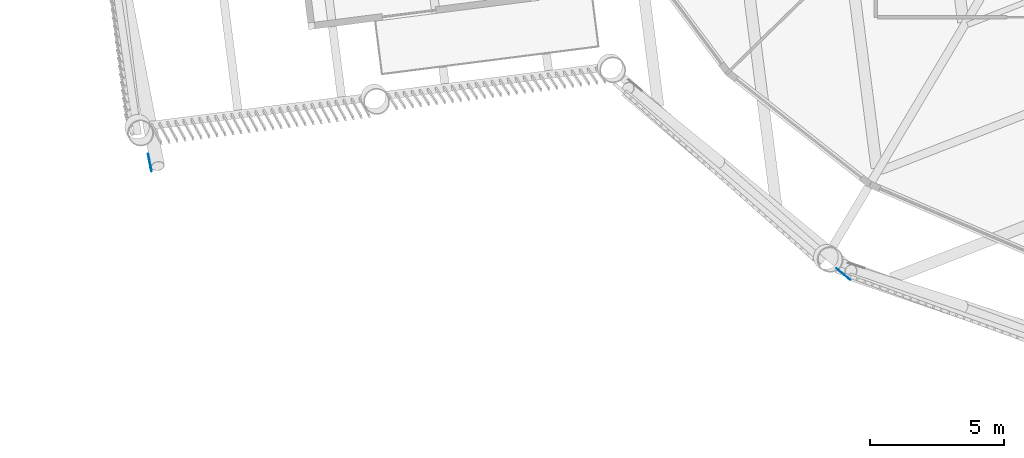
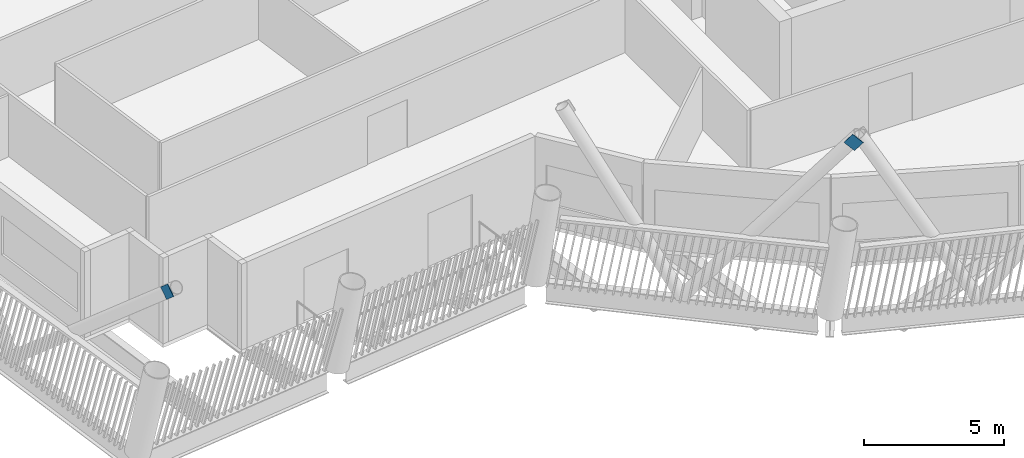
# One storey, part 7 of 20: 2 discrete accessories.
"""IFC4 building model written with IfcOpenShell, lengths in metres."""

from ifc_helpers import new_model, si_unit, direction, frame, origin, origin_2d, place, context, subcontext, project, spatial, rectangle, extrude, material, material_profile, profile_set, type_object, element, save


model = new_model("IFC4")

# Units and contexts
model_context = context("Model", 3, precision=1e-05, world=origin(), true_north=direction((0.0, 1.0)))
body_context = subcontext(model_context, "Body", "Model", "MODEL_VIEW")
ifc_project = project(units=[si_unit("LENGTHUNIT", "METRE"), si_unit("AREAUNIT", "SQUARE_METRE"), si_unit("VOLUMEUNIT", "CUBIC_METRE"), si_unit("PLANEANGLEUNIT", "RADIAN"), si_unit("MASSUNIT", "GRAM", prefix="KILO")], contexts=[model_context])

# Site, building, storey
site_placement = place(None, origin())
site = spatial("IfcSite", under=ifc_project, at=site_placement, CompositionType="ELEMENT")
building_placement = place(site_placement, origin())
building = spatial("IfcBuilding", under=site, at=building_placement, Name="Tarsis Ring Headquarters", CompositionType="ELEMENT")
storey_placement = place(building_placement, frame((0.0, 0.0, 315.800048828125)))
storey = spatial("IfcBuildingStorey", under=building, at=storey_placement, Name="L74", CompositionType="ELEMENT", Elevation=315.800048828125)

# Discrete accessories
ifc_material = material(Name="Structural steel S355", Category="steel")
ifc_material_profile = material_profile(ifc_material, rectangle(XDim=0.02490234375, YDim=0.5, at=origin_2d()), Name="PL 25x500")
ifc_profile_set = profile_set([ifc_material_profile], Name="Structural steel S355")
discrete_accessory_type = type_object("IfcDiscreteAccessoryType", Name="Gusset plate Exo brace 25", PredefinedType="BRACKET", material=ifc_profile_set)
for number, where, z_axis, x_axis, name in (
    (1, (-40.084716796875, -21.6142578125, 7.800048828125), (-0.142556476216, 0.740610186369, -0.656638563393), (-0.981974113111, -0.189015452227, 0.0), "Gusset plate GP5"),
    (2, (-14.092529296875, -25.699951171875, 7.800048828125), (-0.490768818237, 0.403846579783, -0.772045275256), (-0.63541096239, -0.772174144138, 0.0), "Gusset plate GP5"),
):
    element("IfcDiscreteAccessory", number, at=place(storey_placement, frame(where, z_axis=z_axis, x_axis=x_axis)), inside=storey, type_object=discrete_accessory_type, Name=name, PredefinedType="BRACKET", context=body_context, shape_type="SweptSolid", body=[
        extrude(rectangle(XDim=0.02490234375, YDim=0.5, at=origin_2d()), origin(), (0.0, 0.0, 1.0), 0.5),
    ])

save(model, "model.ifc")
